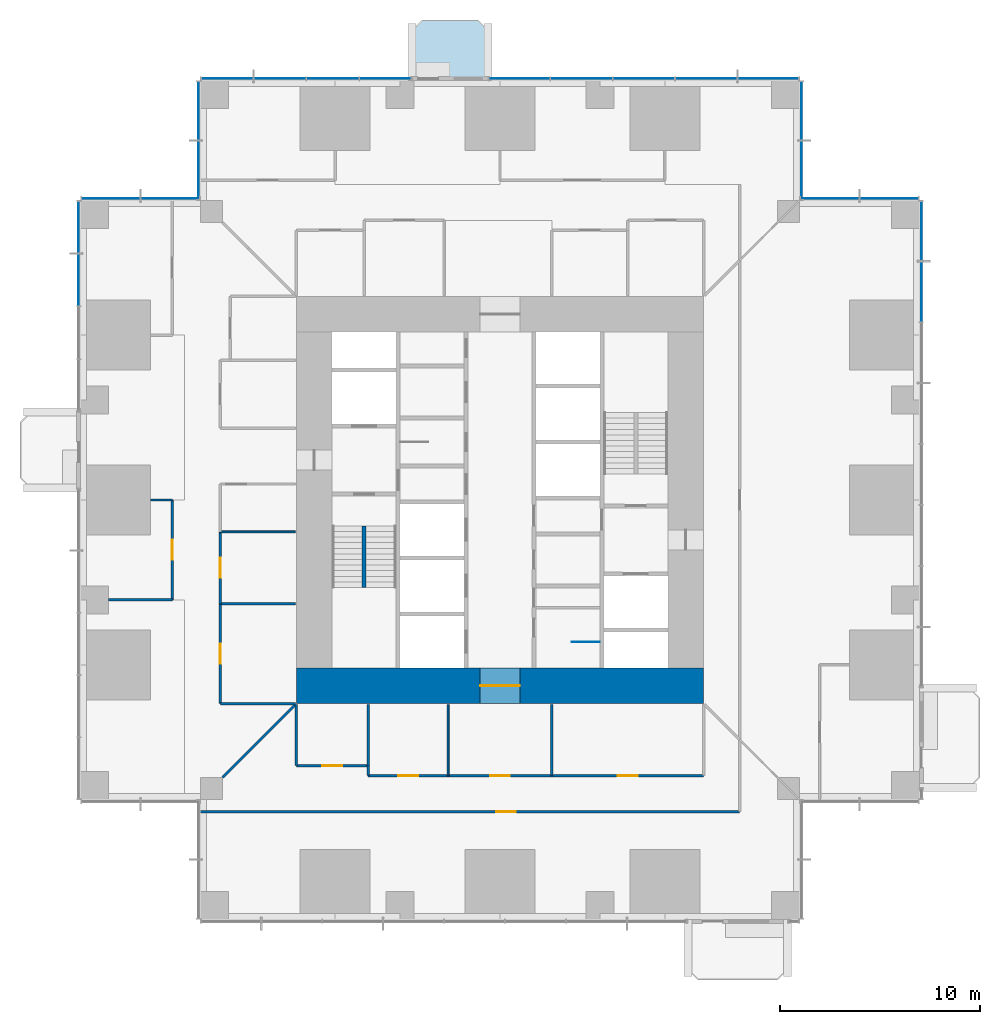
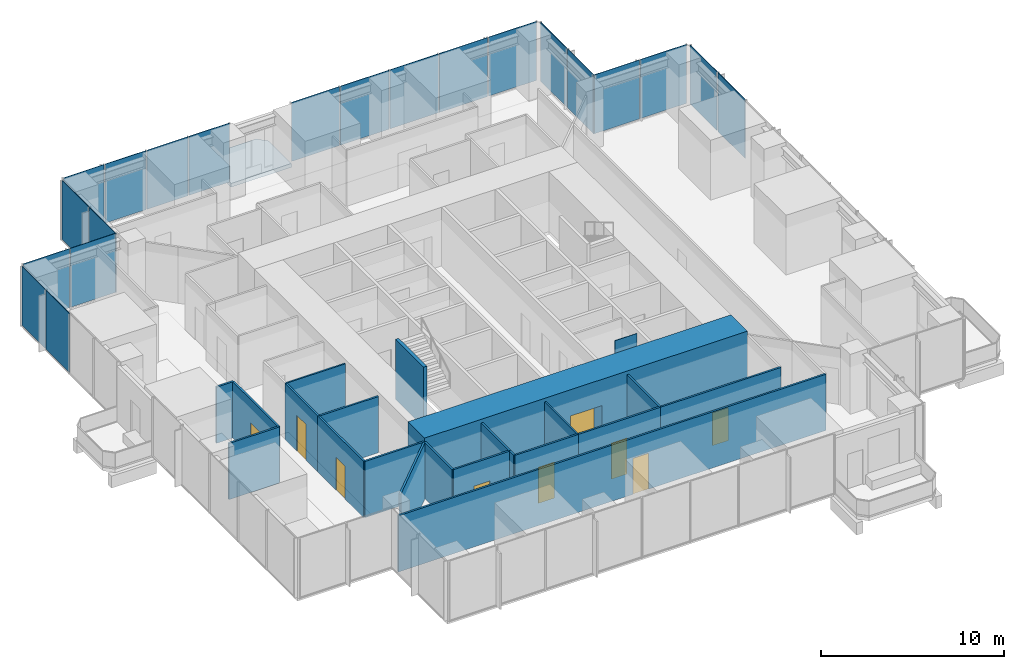
# One storey, part 9 of 15: 22 walls, 21 plates, 9 doors, 1 slab, 9 openings, 8 elements without a shape of their own.
"""IFC4 building model written with IfcOpenShell, lengths in metres."""

import ifcopenshell
import ifcopenshell.guid

model = None  # the IFC model being written
_history = None  # IfcOwnerHistory: only IFC2X3 demands one
_inside = {}  # id of a spatial element -> (the spatial element, [elements in it])
_under = {}  # id of a project, library or spatial element -> (it, [spatial elements below it])
_declared = {}  # id of a project -> (the project, [libraries it declares])
_typed = {}  # id of a type object -> (the type object, [elements of that type])
_made_of = {}  # id of a material, layer set ... -> (it, [elements and type objects made of it])


def new_model(schema):
    """Start an empty IFC model of exactly this schema.

    Asked for "IFC4X3", IfcOpenShell would pick the latest addendum, in which some entities
    have other attributes; the version numbers below select the first issue.
    IFC2X3 requires an IfcOwnerHistory on every rooted entity: one is made here for all.
    """
    global model, _history
    if schema == "IFC4X3":
        model = ifcopenshell.file(schema_version=(4, 3, 0, 0))
    else:
        model = ifcopenshell.file(schema=schema)
    _inside.clear()
    _under.clear()
    _declared.clear()
    _typed.clear()
    _made_of.clear()
    _history = None
    if model.schema == "IFC2X3":
        org = make("IfcOrganization", Name="unknown")
        user = make(
            "IfcPersonAndOrganization",
            ThePerson=make("IfcPerson", FamilyName="unknown"),
            TheOrganization=org,
        )
        app = make(
            "IfcApplication",
            ApplicationDeveloper=org,
            Version="unknown",
            ApplicationFullName="unknown",
            ApplicationIdentifier="unknown",
        )
        _history = make(
            "IfcOwnerHistory",
            OwningUser=user,
            OwningApplication=app,
            ChangeAction="ADDED",
            CreationDate=0,
        )
    return model


def make(cls, **values):
    """One entity of the class cls with the attributes given. An attribute that is None is left unset."""
    return model.create_entity(
        cls, **{name: value for name, value in values.items() if value is not None}
    )


def rooted(cls, **values):
    """An entity with a GlobalId (a new one), such as an element, a storey or a relation."""
    return make(cls, GlobalId=ifcopenshell.guid.new(), OwnerHistory=_history, **values)


def si_unit(unit_type, name, prefix=None):
    """IfcSIUnit, for example si_unit("LENGTHUNIT", "METRE", prefix="MILLI")."""
    return make("IfcSIUnit", UnitType=unit_type, Prefix=prefix, Name=name)


def assignment(units):
    """IfcUnitAssignment: the units of a project."""
    return None if units is None else make("IfcUnitAssignment", Units=units)


def point(xyz):
    """IfcCartesianPoint."""
    return None if xyz is None else make("IfcCartesianPoint", Coordinates=xyz)


def direction(xyz):
    """IfcDirection."""
    return None if xyz is None else make("IfcDirection", DirectionRatios=xyz)


def frame(location, z_axis=None, x_axis=None):
    """IfcAxis2Placement3D, a coordinate frame: its origin and axes. An axis left out is left unset."""
    return make(
        "IfcAxis2Placement3D",
        Location=point(location),
        Axis=direction(z_axis),
        RefDirection=direction(x_axis),
    )


def frame_2d(location, x_axis=None):
    """IfcAxis2Placement2D, a coordinate frame in the plane: its origin and x axis."""
    return make(
        "IfcAxis2Placement2D", Location=point(location), RefDirection=direction(x_axis)
    )


def origin():
    """The frame at (0, 0, 0) with its axes left unset."""
    return frame((0.0, 0.0, 0.0))


def origin_2d():
    """The frame at (0, 0) in the plane with its x axis left unset."""
    return frame_2d((0.0, 0.0))


def place(relative_to, where):
    """IfcLocalPlacement: puts the frame where relative to a parent placement (None: the world)."""
    return make(
        "IfcLocalPlacement", PlacementRelTo=relative_to, RelativePlacement=where
    )


def context(
    kind, dimensions, precision=None, world=None, true_north=None, identifier=None
):
    """IfcGeometricRepresentationContext, for example the 3D "Model" context."""
    return make(
        "IfcGeometricRepresentationContext",
        ContextIdentifier=identifier,
        ContextType=kind,
        CoordinateSpaceDimension=dimensions,
        Precision=precision,
        WorldCoordinateSystem=world,
        TrueNorth=true_north,
    )


def subcontext(parent, identifier, kind, view, scale=None):
    """IfcGeometricRepresentationSubContext, for example "Body" below "Model"."""
    return make(
        "IfcGeometricRepresentationSubContext",
        ContextIdentifier=identifier,
        ContextType=kind,
        ParentContext=parent,
        TargetScale=scale,
        TargetView=view,
    )


def project(units=None, contexts=None):
    """IfcProject with its units and contexts."""
    return rooted(
        "IfcProject",
        Name="project",
        RepresentationContexts=contexts,
        UnitsInContext=assignment(units),
    )


def spatial(cls, under=None, at=None, **own):
    """A site, building, storey or space (cls), placed at a placement, below another one or the project."""
    s = rooted(cls, ObjectPlacement=at, **own)
    if under is not None:
        _under.setdefault(under.id(), (under, []))[1].append(s)
    return s


def polyline(points):
    """IfcPolyline through the points."""
    return make("IfcPolyline", Points=[point(p) for p in points])


def profile(cls, at=None, kind="AREA", **sizes):
    """A parametric profile (cls). Its sizes go by their IFC names, for example OverallWidth=200.0."""
    return make(cls, ProfileType=kind, Position=at, **sizes)


def rectangle(**sizes):
    """IfcRectangleProfileDef."""
    return profile("IfcRectangleProfileDef", **sizes)


def outline(outer, holes=None, kind="AREA"):
    """IfcArbitraryClosedProfileDef: a profile drawn as a closed curve; with holes, ...WithVoids."""
    if holes is None:
        return make("IfcArbitraryClosedProfileDef", ProfileType=kind, OuterCurve=outer)
    return make(
        "IfcArbitraryProfileDefWithVoids",
        ProfileType=kind,
        OuterCurve=outer,
        InnerCurves=holes,
    )


def extrude(swept, where, along, depth):
    """IfcExtrudedAreaSolid: the profile swept, set in the frame where, extruded along a direction by depth."""
    return make(
        "IfcExtrudedAreaSolid",
        SweptArea=swept,
        Position=where,
        ExtrudedDirection=direction(along),
        Depth=depth,
    )


def shape(context_of_items, identifier, shape_type, items):
    """IfcShapeRepresentation: the items that make up one representation, for example the "Body"."""
    return make(
        "IfcShapeRepresentation",
        ContextOfItems=context_of_items,
        RepresentationIdentifier=identifier,
        RepresentationType=shape_type,
        Items=items,
    )


def material(Name=None, Category=None):
    """IfcMaterial."""
    return make("IfcMaterial", Name=Name, Category=Category)


def layer(
    of_material, thickness, ventilated=None, Name=None, Category=None, Priority=None
):
    """IfcMaterialLayer: one layer of a wall or slab, of a material (None: an air gap)."""
    return make(
        "IfcMaterialLayer",
        Material=of_material,
        LayerThickness=thickness,
        IsVentilated=ventilated,
        Name=Name,
        Category=Category,
        Priority=Priority,
    )


def layer_set(layers, Name=None):
    """IfcMaterialLayerSet."""
    return make("IfcMaterialLayerSet", MaterialLayers=layers, LayerSetName=Name)


def made_of(thing, what):
    """Note that an element or type object is made of a material, layer set ...; save() writes the relation."""
    if what is not None:
        _made_of.setdefault(what.id(), (what, []))[1].append(thing)
    return thing


def type_object(cls, material=None, **own):
    """A type object (cls), such as IfcWallType, which elements share."""
    return made_of(rooted(cls, **own), material)


def element(
    cls,
    number,
    at=None,
    inside=None,
    cuts=None,
    type_object=None,
    material=None,
    context=None,
    identifier="Body",
    shape_type=None,
    held_by="IfcProductDefinitionShape",
    body=None,
    shapes=None,
    **own,
):
    """One element of the class cls, such as IfcWall. Its Tag is "e" and its number.

    at: its placement. inside: the storey or other place that contains it. cuts: it is an
    opening in that element (IfcRelVoidsElement). A single representation is given by context,
    identifier, shape_type and body (its items); several are given by shapes. held_by: the class
    of the entity that holds the representations. save() writes the other relations.
    """
    e = rooted(cls, Tag="e%d" % number, ObjectPlacement=at, **own)
    if body is not None:
        shapes = [shape(context, identifier, shape_type, body)]
    if shapes is not None:
        e.Representation = make(held_by, Representations=shapes)
    if inside is not None:
        _inside.setdefault(inside.id(), (inside, []))[1].append(e)
    if cuts is not None:
        rooted(
            "IfcRelVoidsElement", RelatingBuildingElement=cuts, RelatedOpeningElement=e
        )
    if type_object is not None:
        _typed.setdefault(type_object.id(), (type_object, []))[1].append(e)
    return made_of(e, material)


def fill(opening, filler):
    """IfcRelFillsElement: the door or window that sits in an opening."""
    return rooted(
        "IfcRelFillsElement",
        RelatingOpeningElement=opening,
        RelatedBuildingElement=filler,
    )


def aggregate(whole, parts):
    """IfcRelAggregates: a whole, such as a stair, and the parts it consists of."""
    return rooted("IfcRelAggregates", RelatingObject=whole, RelatedObjects=parts)


def save(model, path):
    """Write the relations noted so far, then the file.

    IfcRelAggregates (storeys below a building ...), IfcRelContainedInSpatialStructure (elements
    in a storey), IfcRelDefinesByType, IfcRelAssociatesMaterial and IfcRelDeclares: one each for
    every whole, place, type object, material and project.
    """
    for whole, parts in _under.values():
        aggregate(whole, parts)
    for where, things in _inside.values():
        rooted(
            "IfcRelContainedInSpatialStructure",
            RelatedElements=things,
            RelatingStructure=where,
        )
    for kind, things in _typed.values():
        rooted("IfcRelDefinesByType", RelatedObjects=things, RelatingType=kind)
    for what, things in _made_of.values():
        rooted("IfcRelAssociatesMaterial", RelatedObjects=things, RelatingMaterial=what)
    for by, libraries in _declared.values():
        rooted("IfcRelDeclares", RelatingContext=by, RelatedDefinitions=libraries)
    model.write(path)


model = new_model("IFC4")

# Units and contexts
model_context = context("Model", 3, precision=1e-05, world=origin(), true_north=direction((0.0, 1.0)))
body_context = subcontext(model_context, "Body", "Model", "MODEL_VIEW")
ifc_project = project(units=[si_unit("LENGTHUNIT", "METRE"), si_unit("AREAUNIT", "SQUARE_METRE"), si_unit("VOLUMEUNIT", "CUBIC_METRE"), si_unit("PLANEANGLEUNIT", "RADIAN"), si_unit("MASSUNIT", "GRAM", prefix="KILO")], contexts=[model_context])

# Site, building, storey
site_placement = place(None, origin())
site = spatial("IfcSite", under=ifc_project, at=site_placement, CompositionType="ELEMENT")
building_placement = place(site_placement, origin())
building = spatial("IfcBuilding", under=site, at=building_placement, Name="Svetlomir Tower", CompositionType="ELEMENT")
storey_placement = place(building_placement, frame((0.0, 0.0, 34.5)))
storey = spatial("IfcBuildingStorey", under=building, at=storey_placement, Name="L07", CompositionType="ELEMENT", Elevation=34.5)

# Slab
ifc_material_1 = material(Name="Concrete C60/75", Category="concrete")
ifc_layer_1 = layer(ifc_material_1, 0.25)
ifc_layer_set_1 = layer_set([ifc_layer_1], Name="Concrete C60/75")
slab_type = type_object("IfcSlabType", Name="BALCONY SLAB 250", PredefinedType="FLOOR", material=ifc_layer_set_1)
slab_placement = place(storey_placement, frame((0.0, 0.0, -0.25)))
element("IfcSlab", 1, at=slab_placement, inside=storey, type_object=slab_type, Name="L07 N planted balcony", PredefinedType="FLOOR", context=body_context, shape_type="SweptSolid", body=[
    extrude(outline(polyline([(16.60009765625, 42.0), (20.39990234375, 42.0), (20.39990234375, 44.5), (19.89990234375, 45.0), (17.10009765625, 45.0), (16.60009765625, 44.5), (16.60009765625, 42.0)])), origin(), (0.0, 0.0, 1.0), 0.25),
])

# Curtain wall, plates
ifc_material_2 = material(Name="Bronze anodised aluminium curtain wall", Category="aluminium")
curtain_wall_type = type_object("IfcCurtainWallType", Name="CURTAIN WALL CW1 TOWER OFFICE", PredefinedType="NOTDEFINED", material=ifc_material_2)
curtain_wall_1_placement = place(storey_placement, origin())
curtain_wall_1 = element("IfcCurtainWall", 2, at=curtain_wall_1_placement, inside=storey, type_object=curtain_wall_type, Name="Curtain wall CW1 L07", PredefinedType="NOTDEFINED")
ifc_material_3 = material(Name="Tinted double glazed unit", Category="glass")
ifc_layer_2 = layer(ifc_material_3, 0.031982421875)
ifc_layer_set_2 = layer_set([ifc_layer_2], Name="Tinted double glazed unit")
plate_type = type_object("IfcPlateType", Name="CW1 GLAZED PANEL 32", PredefinedType="CURTAIN_PANEL", material=ifc_layer_set_2)
plate_1_placement = place(storey_placement, frame((42.10009765625, 31.425048828125, 0.06494140625), z_axis=(0.0, 0.0, 1.0), x_axis=(0.0, 1.0, 0.0)))
plate_1 = element("IfcPlate", 3, at=plate_1_placement, type_object=plate_type, Name="CW1 panel 7.1", PredefinedType="CURTAIN_PANEL", context=body_context, shape_type="SweptSolid", body=[
    extrude(rectangle(XDim=2.985107421875, YDim=0.031982421875, at=origin_2d()), origin(), (0.0, 0.0, 1.0), 3.93505859375),
])
plate_2_placement = place(storey_placement, frame((42.10009765625, 34.458740234375, 0.06494140625), z_axis=(0.0, 0.0, 1.0), x_axis=(0.0, 1.0, 0.0)))
plate_2 = element("IfcPlate", 4, at=plate_2_placement, type_object=plate_type, Name="CW1 panel 8.1", PredefinedType="CURTAIN_PANEL", context=body_context, shape_type="SweptSolid", body=[
    extrude(rectangle(XDim=2.952392578125, YDim=0.031982421875, at=origin_2d()), origin(), (0.0, 0.0, 1.0), 3.93505859375),
])
aggregate(curtain_wall_1, [plate_1, plate_2])

curtain_wall_2_placement = place(storey_placement, origin())
curtain_wall_2 = element("IfcCurtainWall", 5, at=curtain_wall_2_placement, inside=storey, type_object=curtain_wall_type, Name="Curtain wall CW1 L07", PredefinedType="NOTDEFINED")
plate_3_placement = place(storey_placement, frame((40.483642578125, 36.10009765625, 0.06494140625), z_axis=(0.0, 0.0, 1.0), x_axis=(-1.0, 0.0, 0.0)))
plate_3 = element("IfcPlate", 6, at=plate_3_placement, type_object=plate_type, Name="CW1 panel 1.1", PredefinedType="CURTAIN_PANEL", context=body_context, shape_type="SweptSolid", body=[
    extrude(rectangle(XDim=2.902587890625, YDim=0.031982421875, at=origin_2d()), origin(), (0.0, 0.0, 1.0), 3.93505859375),
])
plate_4_placement = place(storey_placement, frame((37.516357421875, 36.10009765625, 0.06494140625), z_axis=(0.0, 0.0, 1.0), x_axis=(-1.0, 0.0, 0.0)))
plate_4 = element("IfcPlate", 7, at=plate_4_placement, type_object=plate_type, Name="CW1 panel 2.1", PredefinedType="CURTAIN_PANEL", context=body_context, shape_type="SweptSolid", body=[
    extrude(rectangle(XDim=2.902587890625, YDim=0.031982421875, at=origin_2d()), origin(), (0.0, 0.0, 1.0), 3.93505859375),
])
aggregate(curtain_wall_2, [plate_3, plate_4])

curtain_wall_3_placement = place(storey_placement, origin())
curtain_wall_3 = element("IfcCurtainWall", 8, at=curtain_wall_3_placement, inside=storey, type_object=curtain_wall_type, Name="Curtain wall CW1 L07", PredefinedType="NOTDEFINED")
plate_5_placement = place(storey_placement, frame((36.10009765625, 37.516357421875, 0.06494140625), z_axis=(0.0, 0.0, 1.0), x_axis=(0.0, 1.0, 0.0)))
plate_5 = element("IfcPlate", 9, at=plate_5_placement, type_object=plate_type, Name="CW1 panel 1.1", PredefinedType="CURTAIN_PANEL", context=body_context, shape_type="SweptSolid", body=[
    extrude(rectangle(XDim=2.902587890625, YDim=0.031982421875, at=origin_2d()), origin(), (0.0, 0.0, 1.0), 3.93505859375),
])
plate_6_placement = place(storey_placement, frame((36.10009765625, 40.483642578125, 0.06494140625), z_axis=(0.0, 0.0, 1.0), x_axis=(0.0, 1.0, 0.0)))
plate_6 = element("IfcPlate", 10, at=plate_6_placement, type_object=plate_type, Name="CW1 panel 2.1", PredefinedType="CURTAIN_PANEL", context=body_context, shape_type="SweptSolid", body=[
    extrude(rectangle(XDim=2.902587890625, YDim=0.031982421875, at=origin_2d()), origin(), (0.0, 0.0, 1.0), 3.93505859375),
])
aggregate(curtain_wall_3, [plate_5, plate_6])

curtain_wall_4_placement = place(storey_placement, origin())
curtain_wall_4 = element("IfcCurtainWall", 11, at=curtain_wall_4_placement, inside=storey, type_object=curtain_wall_type, Name="Curtain wall CW1 L07", PredefinedType="NOTDEFINED")
plate_7_placement = place(storey_placement, frame((34.423828125, 42.10009765625, 0.06494140625), z_axis=(0.0, 0.0, 1.0), x_axis=(-1.0, 0.0, 0.0)))
plate_7 = element("IfcPlate", 12, at=plate_7_placement, type_object=plate_type, Name="CW1 panel 1.1", PredefinedType="CURTAIN_PANEL", context=body_context, shape_type="SweptSolid", body=[
    extrude(rectangle(XDim=3.0224609375, YDim=0.031982421875, at=origin_2d()), origin(), (0.0, 0.0, 1.0), 3.93505859375),
])
plate_8_placement = place(storey_placement, frame((31.320068359375, 42.10009765625, 0.06494140625), z_axis=(0.0, 0.0, 1.0), x_axis=(-1.0, 0.0, 0.0)))
plate_8 = element("IfcPlate", 13, at=plate_8_placement, type_object=plate_type, Name="CW1 panel 2.1", PredefinedType="CURTAIN_PANEL", context=body_context, shape_type="SweptSolid", body=[
    extrude(rectangle(XDim=3.054931640625, YDim=0.031982421875, at=origin_2d()), origin(), (0.0, 0.0, 1.0), 3.93505859375),
])
plate_9_placement = place(storey_placement, frame((28.199951171875, 42.10009765625, 0.06494140625), z_axis=(0.0, 0.0, 1.0), x_axis=(-1.0, 0.0, 0.0)))
plate_9 = element("IfcPlate", 14, at=plate_9_placement, type_object=plate_type, Name="CW1 panel 3.1", PredefinedType="CURTAIN_PANEL", context=body_context, shape_type="SweptSolid", body=[
    extrude(rectangle(XDim=3.054931640625, YDim=0.031982421875, at=origin_2d()), origin(), (0.0, 0.0, 1.0), 3.93505859375),
])
plate_10_placement = place(storey_placement, frame((25.080078125, 42.10009765625, 0.06494140625), z_axis=(0.0, 0.0, 1.0), x_axis=(-1.0, 0.0, 0.0)))
plate_10 = element("IfcPlate", 15, at=plate_10_placement, type_object=plate_type, Name="CW1 panel 4.1", PredefinedType="CURTAIN_PANEL", context=body_context, shape_type="SweptSolid", body=[
    extrude(rectangle(XDim=3.054931640625, YDim=0.031982421875, at=origin_2d()), origin(), (0.0, 0.0, 1.0), 3.93505859375),
])
plate_11_placement = place(storey_placement, frame((21.976318359375, 42.10009765625, 0.06494140625), z_axis=(0.0, 0.0, 1.0), x_axis=(-1.0, 0.0, 0.0)))
plate_11 = element("IfcPlate", 16, at=plate_11_placement, type_object=plate_type, Name="CW1 panel 5.1", PredefinedType="CURTAIN_PANEL", context=body_context, shape_type="SweptSolid", body=[
    extrude(rectangle(XDim=3.0224609375, YDim=0.031982421875, at=origin_2d()), origin(), (0.0, 0.0, 1.0), 3.93505859375),
])
aggregate(curtain_wall_4, [plate_7, plate_8, plate_9, plate_10, plate_11])

curtain_wall_5_placement = place(storey_placement, origin())
curtain_wall_5 = element("IfcCurtainWall", 17, at=curtain_wall_5_placement, inside=storey, type_object=curtain_wall_type, Name="Curtain wall CW1 L07", PredefinedType="NOTDEFINED")
plate_12_placement = place(storey_placement, frame((15.2587890625, 42.10009765625, 0.06494140625), z_axis=(0.0, 0.0, 1.0), x_axis=(-1.0, 0.0, 0.0)))
plate_12 = element("IfcPlate", 18, at=plate_12_placement, type_object=plate_type, Name="CW1 panel 1.1", PredefinedType="CURTAIN_PANEL", context=body_context, shape_type="SweptSolid", body=[
    extrude(rectangle(XDim=2.552490234375, YDim=0.031982421875, at=origin_2d()), origin(), (0.0, 0.0, 1.0), 3.93505859375),
])
plate_13_placement = place(storey_placement, frame((12.625, 42.10009765625, 0.06494140625), z_axis=(0.0, 0.0, 1.0), x_axis=(-1.0, 0.0, 0.0)))
plate_13 = element("IfcPlate", 19, at=plate_13_placement, type_object=plate_type, Name="CW1 panel 2.1", PredefinedType="CURTAIN_PANEL", context=body_context, shape_type="SweptSolid", body=[
    extrude(rectangle(XDim=2.5849609375, YDim=0.031982421875, at=origin_2d()), origin(), (0.0, 0.0, 1.0), 3.93505859375),
])
plate_14_placement = place(storey_placement, frame((9.97509765625, 42.10009765625, 0.06494140625), z_axis=(0.0, 0.0, 1.0), x_axis=(-1.0, 0.0, 0.0)))
plate_14 = element("IfcPlate", 20, at=plate_14_placement, type_object=plate_type, Name="CW1 panel 3.1", PredefinedType="CURTAIN_PANEL", context=body_context, shape_type="SweptSolid", body=[
    extrude(rectangle(XDim=2.5849609375, YDim=0.031982421875, at=origin_2d()), origin(), (0.0, 0.0, 1.0), 3.93505859375),
])
plate_15_placement = place(storey_placement, frame((7.34130859375, 42.10009765625, 0.06494140625), z_axis=(0.0, 0.0, 1.0), x_axis=(-1.0, 0.0, 0.0)))
plate_15 = element("IfcPlate", 21, at=plate_15_placement, type_object=plate_type, Name="CW1 panel 4.1", PredefinedType="CURTAIN_PANEL", context=body_context, shape_type="SweptSolid", body=[
    extrude(rectangle(XDim=2.552490234375, YDim=0.031982421875, at=origin_2d()), origin(), (0.0, 0.0, 1.0), 3.93505859375),
])
aggregate(curtain_wall_5, [plate_12, plate_13, plate_14, plate_15])

curtain_wall_6_placement = place(storey_placement, origin())
curtain_wall_6 = element("IfcCurtainWall", 22, at=curtain_wall_6_placement, inside=storey, type_object=curtain_wall_type, Name="Curtain wall CW1 L07", PredefinedType="NOTDEFINED")
plate_16_placement = place(storey_placement, frame((5.89990234375, 40.483642578125, 0.06494140625), z_axis=(0.0, 0.0, 1.0), x_axis=(0.0, -1.0, 0.0)))
plate_16 = element("IfcPlate", 23, at=plate_16_placement, type_object=plate_type, Name="CW1 panel 1.1", PredefinedType="CURTAIN_PANEL", context=body_context, shape_type="SweptSolid", body=[
    extrude(rectangle(XDim=2.902587890625, YDim=0.031982421875, at=origin_2d()), origin(), (0.0, 0.0, 1.0), 3.93505859375),
])
plate_17_placement = place(storey_placement, frame((5.89990234375, 37.516357421875, 0.06494140625), z_axis=(0.0, 0.0, 1.0), x_axis=(0.0, -1.0, 0.0)))
plate_17 = element("IfcPlate", 24, at=plate_17_placement, type_object=plate_type, Name="CW1 panel 2.1", PredefinedType="CURTAIN_PANEL", context=body_context, shape_type="SweptSolid", body=[
    extrude(rectangle(XDim=2.902587890625, YDim=0.031982421875, at=origin_2d()), origin(), (0.0, 0.0, 1.0), 3.93505859375),
])
aggregate(curtain_wall_6, [plate_16, plate_17])

curtain_wall_7_placement = place(storey_placement, origin())
curtain_wall_7 = element("IfcCurtainWall", 25, at=curtain_wall_7_placement, inside=storey, type_object=curtain_wall_type, Name="Curtain wall CW1 L07", PredefinedType="NOTDEFINED")
plate_18_placement = place(storey_placement, frame((4.483642578125, 36.10009765625, 0.06494140625), z_axis=(0.0, 0.0, 1.0), x_axis=(-1.0, 0.0, 0.0)))
plate_18 = element("IfcPlate", 26, at=plate_18_placement, type_object=plate_type, Name="CW1 panel 1.1", PredefinedType="CURTAIN_PANEL", context=body_context, shape_type="SweptSolid", body=[
    extrude(rectangle(XDim=2.902587890625, YDim=0.031982421875, at=origin_2d()), origin(), (0.0, 0.0, 1.0), 3.93505859375),
])
plate_19_placement = place(storey_placement, frame((1.516357421875, 36.10009765625, 0.06494140625), z_axis=(0.0, 0.0, 1.0), x_axis=(-1.0, 0.0, 0.0)))
plate_19 = element("IfcPlate", 27, at=plate_19_placement, type_object=plate_type, Name="CW1 panel 2.1", PredefinedType="CURTAIN_PANEL", context=body_context, shape_type="SweptSolid", body=[
    extrude(rectangle(XDim=2.902587890625, YDim=0.031982421875, at=origin_2d()), origin(), (0.0, 0.0, 1.0), 3.93505859375),
])
aggregate(curtain_wall_7, [plate_18, plate_19])

curtain_wall_8_placement = place(storey_placement, origin())
curtain_wall_8 = element("IfcCurtainWall", 28, at=curtain_wall_8_placement, inside=storey, type_object=curtain_wall_type, Name="Curtain wall CW1 L07", PredefinedType="NOTDEFINED")
plate_20_placement = place(storey_placement, frame((-0.10009765625, 34.65869140625, 0.06494140625), z_axis=(0.0, 0.0, 1.0), x_axis=(0.0, -1.0, 0.0)))
plate_20 = element("IfcPlate", 29, at=plate_20_placement, type_object=plate_type, Name="CW1 panel 1.1", PredefinedType="CURTAIN_PANEL", context=body_context, shape_type="SweptSolid", body=[
    extrude(rectangle(XDim=2.552490234375, YDim=0.031982421875, at=origin_2d()), origin(), (0.0, 0.0, 1.0), 3.93505859375),
])
plate_21_placement = place(storey_placement, frame((-0.10009765625, 32.02490234375, 0.06494140625), z_axis=(0.0, 0.0, 1.0), x_axis=(0.0, -1.0, 0.0)))
plate_21 = element("IfcPlate", 30, at=plate_21_placement, type_object=plate_type, Name="CW1 panel 2.1", PredefinedType="CURTAIN_PANEL", context=body_context, shape_type="SweptSolid", body=[
    extrude(rectangle(XDim=2.5849609375, YDim=0.031982421875, at=origin_2d()), origin(), (0.0, 0.0, 1.0), 3.93505859375),
])
aggregate(curtain_wall_8, [plate_20, plate_21])

# Wall, opening, door
ifc_material_4 = material(Name="Concrete C60/75", Category="concrete")
ifc_layer_3 = layer(ifc_material_4, 1.800048828125)
ifc_layer_set_3 = layer_set([ifc_layer_3], Name="Concrete C60/75")
wall_type_1 = type_object("IfcWallType", Name="CORE WALL 1800", PredefinedType="SHEAR", material=ifc_layer_set_3)
wall_1_placement = place(storey_placement, frame((10.800048828125, 11.699951171875, -0.050048828125), z_axis=(0.0, 0.0, 1.0), x_axis=(1.0, 0.0, 0.0)))
wall_1 = element("IfcWall", 31, at=wall_1_placement, inside=storey, type_object=wall_type_1, Name="Core wall south L07", PredefinedType="SHEAR", context=body_context, shape_type="SweptSolid", body=[
    extrude(rectangle(XDim=20.39990234375, YDim=1.800048828125, at=frame_2d((10.199951171875, 0.0))), origin(), (0.0, 0.0, 1.0), 4.0),
])
opening_1_placement = place(wall_1_placement, frame((9.199951171875, 0.0, 0.050048828125)))
opening_1 = element("IfcOpeningElement", 32, at=opening_1_placement, cuts=wall_1, Name="Opening DL", PredefinedType="OPENING", context=body_context, shape_type="SweptSolid", body=[
    extrude(rectangle(XDim=2.0, YDim=2.199951171875, at=frame_2d((1.0, 1.10009765625))), frame((0.0, 0.91015625, 0.0), z_axis=(0.0, -1.0, 0.0), x_axis=(1.0, 0.0, 0.0)), (0.0, 0.0, 1.0), 1.820068359375),
])
ifc_material_5 = material(Name="Steel fire door", Category="steel")
door_type_1 = type_object("IfcDoorType", Name="DOOR DL 2000x2200", OperationType="DOUBLE_DOOR_SINGLE_SWING", PredefinedType="DOOR", material=ifc_material_5)
door_1_placement = place(opening_1_placement, origin())
door_1 = element("IfcDoor", 33, at=door_1_placement, inside=storey, type_object=door_type_1, Name="Lift lobby south door L07", OperationType="DOUBLE_DOOR_SINGLE_SWING", OverallHeight=2.199951171875, OverallWidth=2.0, PredefinedType="DOOR", context=body_context, shape_type="SweptSolid", body=[
    extrude(rectangle(XDim=2.0, YDim=2.199951171875, at=frame_2d((1.0, 1.10009765625))), frame((0.0, 0.02490234375, 0.0), z_axis=(0.0, -1.0, 0.0), x_axis=(1.0, 0.0, 0.0)), (0.0, 0.0, 1.0), 0.050048828125),
])
fill(opening_1, door_1)

# Walls
ifc_material_6 = material(Name="Framed laminated glass partition", Category="glass")
ifc_layer_4 = layer(ifc_material_6, 0.10009765625)
ifc_layer_set_4 = layer_set([ifc_layer_4], Name="Framed laminated glass partition")
wall_type_2 = type_object("IfcWallType", Name="GLAZED PARTITION 100", PredefinedType="PARTITIONING", material=ifc_layer_set_4)
wall_2_placement = place(storey_placement, frame((7.0, 19.39990234375, 0.0), z_axis=(0.0, 0.0, 1.0), x_axis=(1.0, 0.0, 0.0)))
element("IfcWall", 34, at=wall_2_placement, inside=storey, type_object=wall_type_2, Name="Glazed partition L07", PredefinedType="PARTITIONING", context=body_context, shape_type="SweptSolid", body=[
    extrude(rectangle(XDim=3.75, YDim=0.10009765625, at=frame_2d((1.875, 0.0))), origin(), (0.0, 0.0, 1.0), 3.75),
])
wall_3_placement = place(storey_placement, frame((18.39990234375, 7.199951171875, 0.0), z_axis=(0.0, 0.0, 1.0), x_axis=(0.0, 1.0, 0.0)))
element("IfcWall", 35, at=wall_3_placement, inside=storey, type_object=wall_type_2, Name="Glazed partition L07", PredefinedType="PARTITIONING", context=body_context, shape_type="SweptSolid", body=[
    extrude(rectangle(XDim=3.550048828125, YDim=0.10009765625, at=frame_2d((1.77490234375, 0.0))), origin(), (0.0, 0.0, 1.0), 3.75),
])
ifc_material_7 = material(Name="Gypsum board on steel studs", Category="steel")
ifc_layer_5 = layer(ifc_material_7, 0.1201171875)
ifc_layer_set_5 = layer_set([ifc_layer_5], Name="Gypsum board on steel studs")
wall_type_3 = type_object("IfcWallType", Name="PARTITION 120", PredefinedType="PARTITIONING", material=ifc_layer_set_5)
wall_4_placement = place(storey_placement, frame((1.409912109375, 16.0, 0.0), z_axis=(0.0, 0.0, 1.0), x_axis=(1.0, 0.0, 0.0)))
element("IfcWall", 36, at=wall_4_placement, inside=storey, type_object=wall_type_3, Name="Partition L07", PredefinedType="PARTITIONING", context=body_context, shape_type="SweptSolid", body=[
    extrude(rectangle(XDim=3.190185546875, YDim=0.1201171875, at=frame_2d((1.59521484375, 0.0))), origin(), (0.0, 0.0, 1.0), 3.75),
])
wall_5_placement = place(storey_placement, frame((3.510009765625, 21.0, 0.0), z_axis=(0.0, 0.0, 1.0), x_axis=(1.0, 0.0, 0.0)))
element("IfcWall", 37, at=wall_5_placement, inside=storey, type_object=wall_type_3, Name="Partition L07", PredefinedType="PARTITIONING", context=body_context, shape_type="SweptSolid", body=[
    extrude(rectangle(XDim=1.090087890625, YDim=0.1201171875, at=frame_2d((0.544921875, 0.0))), origin(), (0.0, 0.0, 1.0), 3.75),
])

# Wall, opening, door
wall_6_placement = place(storey_placement, frame((4.60009765625, 16.0, 0.0), z_axis=(0.0, 0.0, 1.0), x_axis=(0.0, 1.0, 0.0)))
wall_6 = element("IfcWall", 38, at=wall_6_placement, inside=storey, type_object=wall_type_3, Name="Partition L07", PredefinedType="PARTITIONING", context=body_context, shape_type="SweptSolid", body=[
    extrude(rectangle(XDim=5.0, YDim=0.1201171875, at=frame_2d((2.5, 0.0))), origin(), (0.0, 0.0, 1.0), 3.75),
])
opening_2_placement = place(wall_6_placement, frame((2.0, 0.0, 0.0)))
opening_2 = element("IfcOpeningElement", 39, at=opening_2_placement, cuts=wall_6, Name="Opening DR", PredefinedType="OPENING", context=body_context, shape_type="SweptSolid", body=[
    extrude(rectangle(XDim=1.0, YDim=2.199951171875, at=frame_2d((0.5, 1.10009765625))), frame((0.0, 0.070068359375, 0.0), z_axis=(0.0, -1.0, 0.0), x_axis=(1.0, 0.0, 0.0)), (0.0, 0.0, 1.0), 0.14013671875),
])
ifc_material_8 = material(Name="Timber door, glazed side light", Category="wood")
door_type_2 = type_object("IfcDoorType", Name="DOOR DR 1000x2200", OperationType="SINGLE_SWING_LEFT", PredefinedType="DOOR", material=ifc_material_8)
door_2_placement = place(opening_2_placement, origin())
door_2 = element("IfcDoor", 40, at=door_2_placement, inside=storey, type_object=door_type_2, Name="Market data and print room door L07", OperationType="SINGLE_SWING_RIGHT", OverallHeight=2.199951171875, OverallWidth=1.0, PredefinedType="DOOR", context=body_context, shape_type="SweptSolid", body=[
    extrude(rectangle(XDim=1.0, YDim=2.199951171875, at=frame_2d((0.5, 1.10009765625))), frame((0.0, 0.02490234375, 0.0), z_axis=(0.0, -1.0, 0.0), x_axis=(1.0, 0.0, 0.0)), (0.0, 0.0, 1.0), 0.050048828125),
])
fill(opening_2, door_2)

wall_7_placement = place(storey_placement, frame((6.0, 5.39990234375, 0.0), z_axis=(0.0, 0.0, 1.0), x_axis=(1.0, 0.0, 0.0)))
wall_7 = element("IfcWall", 41, at=wall_7_placement, inside=storey, type_object=wall_type_3, Name="Partition L07", PredefinedType="PARTITIONING", context=body_context, shape_type="SweptSolid", body=[
    extrude(rectangle(XDim=27.0, YDim=0.1201171875, at=frame_2d((13.5, 0.0))), origin(), (0.0, 0.0, 1.0), 3.75),
])
opening_3_placement = place(wall_7_placement, frame((14.800048828125, 0.0, 0.0)))
opening_3 = element("IfcOpeningElement", 42, at=opening_3_placement, cuts=wall_7, Name="Opening DG", PredefinedType="OPENING", context=body_context, shape_type="SweptSolid", body=[
    extrude(rectangle(XDim=1.0, YDim=2.39990234375, at=frame_2d((0.5, 1.199951171875))), frame((0.0, 0.070068359375, 0.0), z_axis=(0.0, -1.0, 0.0), x_axis=(1.0, 0.0, 0.0)), (0.0, 0.0, 1.0), 0.14013671875),
])
ifc_material_9 = material(Name="Framed laminated glass door", Category="glass")
door_type_3 = type_object("IfcDoorType", Name="GLAZED DOOR DG 1000x2400", OperationType="SINGLE_SWING_LEFT", PredefinedType="DOOR", material=ifc_material_9)
door_3_placement = place(opening_3_placement, origin())
door_3 = element("IfcDoor", 43, at=door_3_placement, inside=storey, type_object=door_type_3, Name="Ring corridor 1 door 1 L07", OperationType="SINGLE_SWING_LEFT", OverallHeight=2.39990234375, OverallWidth=1.0, PredefinedType="DOOR", context=body_context, shape_type="SweptSolid", body=[
    extrude(rectangle(XDim=1.0, YDim=2.39990234375, at=frame_2d((0.5, 1.199951171875))), frame((0.0, 0.02490234375, 0.0), z_axis=(0.0, -1.0, 0.0), x_axis=(1.0, 0.0, 0.0)), (0.0, 0.0, 1.0), 0.050048828125),
])
fill(opening_3, door_3)

wall_8_placement = place(storey_placement, frame((7.0, 10.800048828125, 0.0), z_axis=(0.0, 0.0, 1.0), x_axis=(0.0, 1.0, 0.0)))
wall_8 = element("IfcWall", 44, at=wall_8_placement, inside=storey, type_object=wall_type_3, Name="Partition L07", PredefinedType="PARTITIONING", context=body_context, shape_type="SweptSolid", body=[
    extrude(rectangle(XDim=5.0, YDim=0.1201171875, at=frame_2d((2.5, 0.0))), origin(), (0.0, 0.0, 1.0), 3.75),
])
opening_4_placement = place(wall_8_placement, frame((2.0, 0.0, 0.0)))
opening_4 = element("IfcOpeningElement", 45, at=opening_4_placement, cuts=wall_8, Name="Opening DR", PredefinedType="OPENING", context=body_context, shape_type="SweptSolid", body=[
    extrude(rectangle(XDim=1.0, YDim=2.199951171875, at=frame_2d((0.5, 1.10009765625))), frame((0.0, 0.070068359375, 0.0), z_axis=(0.0, -1.0, 0.0), x_axis=(1.0, 0.0, 0.0)), (0.0, 0.0, 1.0), 0.14013671875),
])
door_4_placement = place(opening_4_placement, origin())
door_4 = element("IfcDoor", 46, at=door_4_placement, inside=storey, type_object=door_type_2, Name="Settlements office door L07", OperationType="SINGLE_SWING_LEFT", OverallHeight=2.199951171875, OverallWidth=1.0, PredefinedType="DOOR", context=body_context, shape_type="SweptSolid", body=[
    extrude(rectangle(XDim=1.0, YDim=2.199951171875, at=frame_2d((0.5, 1.10009765625))), frame((0.0, 0.02490234375, 0.0), z_axis=(0.0, -1.0, 0.0), x_axis=(1.0, 0.0, 0.0)), (0.0, 0.0, 1.0), 0.050048828125),
])
fill(opening_4, door_4)

# Wall
wall_9_placement = place(storey_placement, frame((7.0, 10.800048828125, 0.0), z_axis=(0.0, 0.0, 1.0), x_axis=(1.0, 0.0, 0.0)))
element("IfcWall", 47, at=wall_9_placement, inside=storey, type_object=wall_type_3, Name="Partition L07", PredefinedType="PARTITIONING", context=body_context, shape_type="SweptSolid", body=[
    extrude(rectangle(XDim=3.75, YDim=0.1201171875, at=frame_2d((1.875, 0.0))), origin(), (0.0, 0.0, 1.0), 3.75),
])

# Wall, opening, door
wall_10_placement = place(storey_placement, frame((7.0, 15.800048828125, 0.0), z_axis=(0.0, 0.0, 1.0), x_axis=(0.0, 1.0, 0.0)))
wall_10 = element("IfcWall", 48, at=wall_10_placement, inside=storey, type_object=wall_type_3, Name="Partition L07", PredefinedType="PARTITIONING", context=body_context, shape_type="SweptSolid", body=[
    extrude(rectangle(XDim=3.599853515625, YDim=0.1201171875, at=frame_2d((1.7998046875, 0.0))), origin(), (0.0, 0.0, 1.0), 3.75),
])
opening_5_placement = place(wall_10_placement, frame((1.300048828125, 0.0, 0.0)))
opening_5 = element("IfcOpeningElement", 49, at=opening_5_placement, cuts=wall_10, Name="Opening DG", PredefinedType="OPENING", context=body_context, shape_type="SweptSolid", body=[
    extrude(rectangle(XDim=1.0, YDim=2.39990234375, at=frame_2d((0.5, 1.199951171875))), frame((0.0, 0.070068359375, 0.0), z_axis=(0.0, -1.0, 0.0), x_axis=(1.0, 0.0, 0.0)), (0.0, 0.0, 1.0), 0.14013671875),
])
door_5_placement = place(opening_5_placement, origin())
door_5 = element("IfcDoor", 50, at=door_5_placement, inside=storey, type_object=door_type_3, Name="Meeting room, 4 seats door L07", OperationType="SINGLE_SWING_RIGHT", OverallHeight=2.39990234375, OverallWidth=1.0, PredefinedType="DOOR", context=body_context, shape_type="SweptSolid", body=[
    extrude(rectangle(XDim=1.0, YDim=2.39990234375, at=frame_2d((0.5, 1.199951171875))), frame((0.0, 0.02490234375, 0.0), z_axis=(0.0, -1.0, 0.0), x_axis=(1.0, 0.0, 0.0)), (0.0, 0.0, 1.0), 0.050048828125),
])
fill(opening_5, door_5)

# Walls
wall_11_placement = place(storey_placement, frame((7.0, 15.800048828125, 0.0), z_axis=(0.0, 0.0, 1.0), x_axis=(1.0, 0.0, 0.0)))
element("IfcWall", 51, at=wall_11_placement, inside=storey, type_object=wall_type_3, Name="Partition L07", PredefinedType="PARTITIONING", context=body_context, shape_type="SweptSolid", body=[
    extrude(rectangle(XDim=3.75, YDim=0.1201171875, at=frame_2d((1.875, 0.0))), origin(), (0.0, 0.0, 1.0), 3.75),
])
wall_12_placement = place(storey_placement, frame((7.110107421875, 7.110107421875, 0.0), z_axis=(0.0, 0.0, 1.0), x_axis=(0.707106781187, 0.707106781187, 0.0)))
element("IfcWall", 52, at=wall_12_placement, inside=storey, type_object=wall_type_3, Name="Partition L07", PredefinedType="PARTITIONING", context=body_context, shape_type="SweptSolid", body=[
    extrude(rectangle(XDim=5.168212890625, YDim=0.1201171875, at=frame_2d((2.583984375, 0.0))), origin(), (0.0, 0.0, 1.0), 3.75),
])
wall_13_placement = place(storey_placement, frame((10.800048828125, 7.699951171875, 0.0), z_axis=(0.0, 0.0, 1.0), x_axis=(0.0, 1.0, 0.0)))
element("IfcWall", 53, at=wall_13_placement, inside=storey, type_object=wall_type_3, Name="Partition L07", PredefinedType="PARTITIONING", context=body_context, shape_type="SweptSolid", body=[
    extrude(rectangle(XDim=3.050048828125, YDim=0.1201171875, at=frame_2d((1.52490234375, 0.0))), origin(), (0.0, 0.0, 1.0), 3.75),
])

# Wall, opening, door
wall_14_placement = place(storey_placement, frame((10.800048828125, 7.699951171875, 0.0), z_axis=(0.0, 0.0, 1.0), x_axis=(1.0, 0.0, 0.0)))
wall_14 = element("IfcWall", 54, at=wall_14_placement, inside=storey, type_object=wall_type_3, Name="Partition L07", PredefinedType="PARTITIONING", context=body_context, shape_type="SweptSolid", body=[
    extrude(rectangle(XDim=3.599853515625, YDim=0.1201171875, at=frame_2d((1.7998046875, 0.0))), origin(), (0.0, 0.0, 1.0), 3.75),
])
opening_6_placement = place(wall_14_placement, frame((1.300048828125, 0.0, 0.0)))
opening_6 = element("IfcOpeningElement", 55, at=opening_6_placement, cuts=wall_14, Name="Opening DR", PredefinedType="OPENING", context=body_context, shape_type="SweptSolid", body=[
    extrude(rectangle(XDim=1.0, YDim=2.199951171875, at=frame_2d((0.5, 1.10009765625))), frame((0.0, 0.070068359375, 0.0), z_axis=(0.0, -1.0, 0.0), x_axis=(1.0, 0.0, 0.0)), (0.0, 0.0, 1.0), 0.14013671875),
])
door_6_placement = place(opening_6_placement, origin())
door_6 = element("IfcDoor", 56, at=door_6_placement, inside=storey, type_object=door_type_2, Name="Market data server room door L07", OperationType="SINGLE_SWING_LEFT", OverallHeight=2.199951171875, OverallWidth=1.0, PredefinedType="DOOR", context=body_context, shape_type="SweptSolid", body=[
    extrude(rectangle(XDim=1.0, YDim=2.199951171875, at=frame_2d((0.5, 1.10009765625))), frame((0.0, 0.02490234375, 0.0), z_axis=(0.0, -1.0, 0.0), x_axis=(1.0, 0.0, 0.0)), (0.0, 0.0, 1.0), 0.050048828125),
])
fill(opening_6, door_6)

# Wall
wall_15_placement = place(storey_placement, frame((14.39990234375, 7.199951171875, 0.0), z_axis=(0.0, 0.0, 1.0), x_axis=(0.0, 1.0, 0.0)))
element("IfcWall", 57, at=wall_15_placement, inside=storey, type_object=wall_type_3, Name="Partition L07", PredefinedType="PARTITIONING", context=body_context, shape_type="SweptSolid", body=[
    extrude(rectangle(XDim=0.5, YDim=0.1201171875, at=frame_2d((0.25, 0.0))), origin(), (0.0, 0.0, 1.0), 3.75),
])

# Wall, opening, door
wall_16_placement = place(storey_placement, frame((14.39990234375, 7.199951171875, 0.0), z_axis=(0.0, 0.0, 1.0), x_axis=(1.0, 0.0, 0.0)))
wall_16 = element("IfcWall", 58, at=wall_16_placement, inside=storey, type_object=wall_type_3, Name="Partition L07", PredefinedType="PARTITIONING", context=body_context, shape_type="SweptSolid", body=[
    extrude(rectangle(XDim=4.0, YDim=0.1201171875, at=frame_2d((2.0, 0.0))), origin(), (0.0, 0.0, 1.0), 3.75),
])
opening_7_placement = place(wall_16_placement, frame((1.5, 0.0, 0.0)))
opening_7 = element("IfcOpeningElement", 59, at=opening_7_placement, cuts=wall_16, Name="Opening DG", PredefinedType="OPENING", context=body_context, shape_type="SweptSolid", body=[
    extrude(rectangle(XDim=1.0, YDim=2.39990234375, at=frame_2d((0.5, 1.199951171875))), frame((0.0, 0.070068359375, 0.0), z_axis=(0.0, -1.0, 0.0), x_axis=(1.0, 0.0, 0.0)), (0.0, 0.0, 1.0), 0.14013671875),
])
door_7_placement = place(opening_7_placement, origin())
door_7 = element("IfcDoor", 60, at=door_7_placement, inside=storey, type_object=door_type_3, Name="Quiet room door L07", OperationType="SINGLE_SWING_RIGHT", OverallHeight=2.39990234375, OverallWidth=1.0, PredefinedType="DOOR", context=body_context, shape_type="SweptSolid", body=[
    extrude(rectangle(XDim=1.0, YDim=2.39990234375, at=frame_2d((0.5, 1.199951171875))), frame((0.0, 0.02490234375, 0.0), z_axis=(0.0, -1.0, 0.0), x_axis=(1.0, 0.0, 0.0)), (0.0, 0.0, 1.0), 0.050048828125),
])
fill(opening_7, door_7)

# Wall
wall_17_placement = place(storey_placement, frame((14.39990234375, 7.699951171875, 0.0), z_axis=(0.0, 0.0, 1.0), x_axis=(0.0, 1.0, 0.0)))
element("IfcWall", 61, at=wall_17_placement, inside=storey, type_object=wall_type_3, Name="Partition L07", PredefinedType="PARTITIONING", context=body_context, shape_type="SweptSolid", body=[
    extrude(rectangle(XDim=3.050048828125, YDim=0.1201171875, at=frame_2d((1.52490234375, 0.0))), origin(), (0.0, 0.0, 1.0), 3.75),
])

# Wall, opening, door
wall_18_placement = place(storey_placement, frame((18.39990234375, 7.199951171875, 0.0), z_axis=(0.0, 0.0, 1.0), x_axis=(1.0, 0.0, 0.0)))
wall_18 = element("IfcWall", 62, at=wall_18_placement, inside=storey, type_object=wall_type_3, Name="Partition L07", PredefinedType="PARTITIONING", context=body_context, shape_type="SweptSolid", body=[
    extrude(rectangle(XDim=5.2001953125, YDim=0.1201171875, at=frame_2d((2.60009765625, 0.0))), origin(), (0.0, 0.0, 1.0), 3.75),
])
opening_8_placement = place(wall_18_placement, frame((2.10009765625, 0.0, 0.0)))
opening_8 = element("IfcOpeningElement", 63, at=opening_8_placement, cuts=wall_18, Name="Opening DG", PredefinedType="OPENING", context=body_context, shape_type="SweptSolid", body=[
    extrude(rectangle(XDim=1.0, YDim=2.39990234375, at=frame_2d((0.5, 1.199951171875))), frame((0.0, 0.070068359375, 0.0), z_axis=(0.0, -1.0, 0.0), x_axis=(1.0, 0.0, 0.0)), (0.0, 0.0, 1.0), 0.14013671875),
])
door_8_placement = place(opening_8_placement, origin())
door_8 = element("IfcDoor", 64, at=door_8_placement, inside=storey, type_object=door_type_3, Name="Ring corridor 1 door 2 L07", OperationType="SINGLE_SWING_RIGHT", OverallHeight=2.39990234375, OverallWidth=1.0, PredefinedType="DOOR", context=body_context, shape_type="SweptSolid", body=[
    extrude(rectangle(XDim=1.0, YDim=2.39990234375, at=frame_2d((0.5, 1.199951171875))), frame((0.0, 0.02490234375, 0.0), z_axis=(0.0, -1.0, 0.0), x_axis=(1.0, 0.0, 0.0)), (0.0, 0.0, 1.0), 0.050048828125),
])
fill(opening_8, door_8)

# Wall
wall_19_placement = place(storey_placement, frame((23.60009765625, 7.199951171875, 0.0), z_axis=(0.0, 0.0, 1.0), x_axis=(0.0, 1.0, 0.0)))
element("IfcWall", 65, at=wall_19_placement, inside=storey, type_object=wall_type_3, Name="Partition L07", PredefinedType="PARTITIONING", context=body_context, shape_type="SweptSolid", body=[
    extrude(rectangle(XDim=3.550048828125, YDim=0.1201171875, at=frame_2d((1.77490234375, 0.0))), origin(), (0.0, 0.0, 1.0), 3.75),
])

# Wall, opening, door
wall_20_placement = place(storey_placement, frame((23.60009765625, 7.199951171875, 0.0), z_axis=(0.0, 0.0, 1.0), x_axis=(1.0, 0.0, 0.0)))
wall_20 = element("IfcWall", 66, at=wall_20_placement, inside=storey, type_object=wall_type_3, Name="Partition L07", PredefinedType="PARTITIONING", context=body_context, shape_type="SweptSolid", body=[
    extrude(rectangle(XDim=7.599853515625, YDim=0.1201171875, at=frame_2d((3.7998046875, 0.0))), origin(), (0.0, 0.0, 1.0), 3.75),
])
opening_9_placement = place(wall_20_placement, frame((3.300048828125, 0.0, 0.0)))
opening_9 = element("IfcOpeningElement", 67, at=opening_9_placement, cuts=wall_20, Name="Opening DR", PredefinedType="OPENING", context=body_context, shape_type="SweptSolid", body=[
    extrude(rectangle(XDim=1.0, YDim=2.199951171875, at=frame_2d((0.5, 1.10009765625))), frame((0.0, 0.070068359375, 0.0), z_axis=(0.0, -1.0, 0.0), x_axis=(1.0, 0.0, 0.0)), (0.0, 0.0, 1.0), 0.14013671875),
])
door_9_placement = place(opening_9_placement, origin())
door_9 = element("IfcDoor", 68, at=door_9_placement, inside=storey, type_object=door_type_2, Name="Treasury risk desk room door L07", OperationType="SINGLE_SWING_LEFT", OverallHeight=2.199951171875, OverallWidth=1.0, PredefinedType="DOOR", context=body_context, shape_type="SweptSolid", body=[
    extrude(rectangle(XDim=1.0, YDim=2.199951171875, at=frame_2d((0.5, 1.10009765625))), frame((0.0, 0.02490234375, 0.0), z_axis=(0.0, -1.0, 0.0), x_axis=(1.0, 0.0, 0.0)), (0.0, 0.0, 1.0), 0.050048828125),
])
fill(opening_9, door_9)

# Walls
ifc_material_10 = material(Name="Concrete C60/75", Category="concrete")
ifc_layer_6 = layer(ifc_material_10, 0.199951171875)
ifc_layer_set_6 = layer_set([ifc_layer_6], Name="Concrete C60/75")
wall_type_4 = type_object("IfcWallType", Name="STAIR SPINE WALL 200", PredefinedType="PARTITIONING", material=ifc_layer_set_6)
wall_21_placement = place(storey_placement, frame((14.199951171875, 16.6201171875, 0.0), z_axis=(0.0, 0.0, 1.0), x_axis=(0.0, 1.0, 0.0)))
element("IfcWall", 69, at=wall_21_placement, inside=storey, type_object=wall_type_4, Name="Stair S1 spine wall L07", PredefinedType="PARTITIONING", context=body_context, shape_type="SweptSolid", body=[
    extrude(rectangle(XDim=3.079833984375, YDim=0.199951171875, at=frame_2d((1.5400390625, 0.0))), origin(), (0.0, 0.0, 1.0), 4.0),
])
ifc_material_11 = material(Name="Compact laminate panel", Category="plastic")
ifc_layer_7 = layer(ifc_material_11, 0.030029296875)
ifc_layer_set_7 = layer_set([ifc_layer_7], Name="Compact laminate panel")
wall_type_5 = type_object("IfcWallType", Name="WC CUBICLE PARTITION 30", PredefinedType="PARTITIONING", material=ifc_layer_set_7)
wall_22_placement = place(storey_placement, frame((24.60009765625, 13.89990234375, 0.0), z_axis=(0.0, 0.0, 1.0), x_axis=(1.0, 0.0, 0.0)))
element("IfcWall", 70, at=wall_22_placement, inside=storey, type_object=wall_type_5, Name="WC cubicle partition L07", PredefinedType="PARTITIONING", context=body_context, shape_type="SweptSolid", body=[
    extrude(rectangle(XDim=1.39990234375, YDim=0.030029296875, at=frame_2d((0.699951171875, 0.0))), origin(), (0.0, 0.0, 1.0), 3.75),
])

save(model, "model.ifc")
